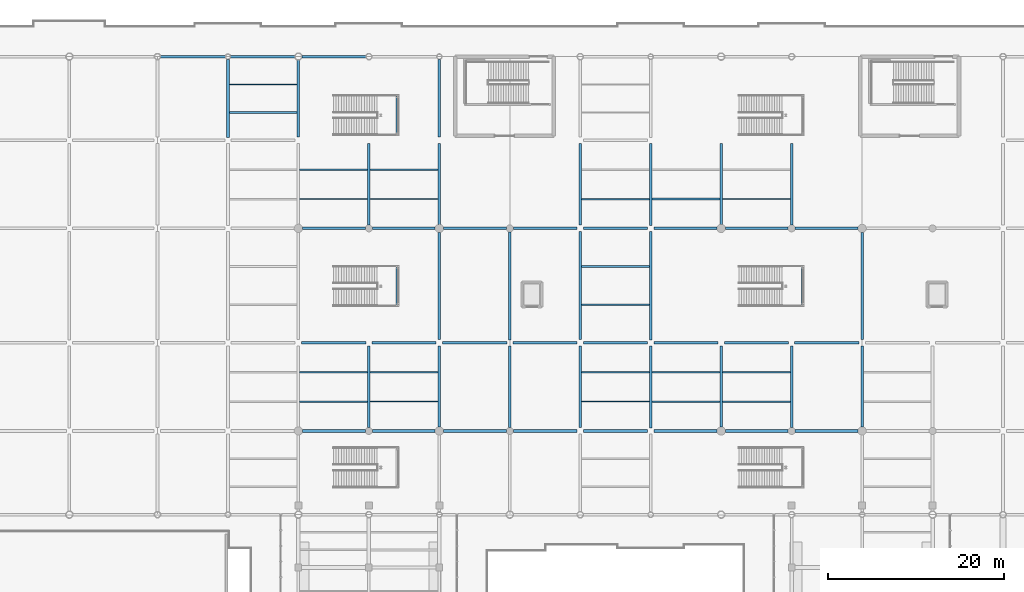
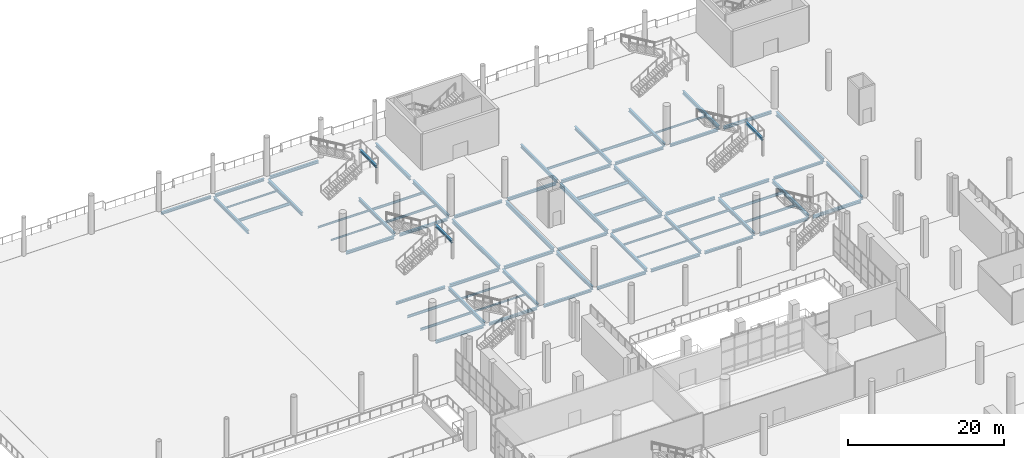
# One storey, part 107 of 163: 73 beams.
"""IFC4 building model written with IfcOpenShell, lengths in metres."""

from ifc_helpers import new_model, si_unit, direction, frame, origin, origin_2d, place, context, subcontext, project, spatial, i_section, extrude, material, material_profile, profile_set, type_object, element, save


model = new_model("IFC4")

# Units and contexts
model_context = context("Model", 3, precision=1e-05, world=origin(), true_north=direction((0.0, 1.0)))
body_context = subcontext(model_context, "Body", "Model", "MODEL_VIEW")
ifc_project = project(units=[si_unit("LENGTHUNIT", "METRE"), si_unit("AREAUNIT", "SQUARE_METRE"), si_unit("VOLUMEUNIT", "CUBIC_METRE"), si_unit("PLANEANGLEUNIT", "RADIAN"), si_unit("MASSUNIT", "GRAM", prefix="KILO")], contexts=[model_context])

# Site, building, storey
site_placement = place(None, origin())
site = spatial("IfcSite", under=ifc_project, at=site_placement, CompositionType="ELEMENT")
building_placement = place(site_placement, origin())
building = spatial("IfcBuilding", under=site, at=building_placement, Name="Khorjan Park Terminus", CompositionType="ELEMENT")
storey_placement = place(building_placement, origin())
storey = spatial("IfcBuildingStorey", under=building, at=storey_placement, Name="L00", CompositionType="ELEMENT", Elevation=0.0)

# Beams
ifc_material = material(Name="Steel S355", Category="steel")
ifc_material_profile_1 = material_profile(ifc_material, i_section(OverallWidth=0.3, OverallDepth=0.39, WebThickness=0.011, FlangeThickness=0.019, FilletRadius=0.027, at=origin_2d()), Name="HEA 400")
ifc_profile_set_1 = profile_set([ifc_material_profile_1], Name="Steel S355")
beam_type_1 = type_object("IfcBeamType", Name="BM-HEA400", PredefinedType="BEAM", material=ifc_profile_set_1)
beam_1_placement = place(storey_placement, frame((64.395, 111.5, -0.595), z_axis=(1.0, 0.0, 0.0), x_axis=(0.0, 1.0, 0.0)))
element("IfcBeam", 1, at=beam_1_placement, inside=storey, type_object=beam_type_1, Name="Primary floor girder SB-A40 (L00)", PredefinedType="BEAM", context=body_context, shape_type="SweptSolid", body=[
    extrude(i_section(OverallWidth=0.3, OverallDepth=0.39, WebThickness=0.011, FlangeThickness=0.019, FilletRadius=0.027, at=origin_2d()), origin(), (0.0, 0.0, 1.0), 7.135),
])
beam_2_placement = place(storey_placement, frame((96.345, 111.5, -0.595), z_axis=(1.0, 0.0, 0.0), x_axis=(0.0, 1.0, 0.0)))
element("IfcBeam", 2, at=beam_2_placement, inside=storey, type_object=beam_type_1, Name="Primary floor girder SB-A40 (L00)", PredefinedType="BEAM", context=body_context, shape_type="SweptSolid", body=[
    extrude(i_section(OverallWidth=0.3, OverallDepth=0.39, WebThickness=0.011, FlangeThickness=0.019, FilletRadius=0.027, at=origin_2d()), origin(), (0.0, 0.0, 1.0), 7.185),
])
for number, where, z_axis, x_axis, name in (
    (3, (80.345, 121.5, -0.595), (1.0, 0.0, 0.0), (0.0, 1.0, 0.0), "Primary floor girder SB-A40 (L00)"),
    (4, (112.345, 121.5, -0.595), (1.0, 0.0, 0.0), (0.0, 1.0, 0.0), "Primary floor girder SB-A40 (L00)"),
):
    element("IfcBeam", number, at=place(storey_placement, frame(where, z_axis=z_axis, x_axis=x_axis)), inside=storey, type_object=beam_type_1, Name=name, PredefinedType="BEAM", context=body_context, shape_type="SweptSolid", body=[
        extrude(i_section(OverallWidth=0.3, OverallDepth=0.39, WebThickness=0.011, FlangeThickness=0.019, FilletRadius=0.027, at=origin_2d()), origin(), (0.0, 0.0, 1.0), 7.285),
    ])
beam_3_placement = place(storey_placement, frame((64.395, 134.5, -0.595), z_axis=(1.0, 0.0, 0.0), x_axis=(0.0, 1.0, 0.0)))
element("IfcBeam", 5, at=beam_3_placement, inside=storey, type_object=beam_type_1, Name="Primary floor girder SB-A40 (L00)", PredefinedType="BEAM", context=body_context, shape_type="SweptSolid", body=[
    extrude(i_section(OverallWidth=0.3, OverallDepth=0.39, WebThickness=0.011, FlangeThickness=0.019, FilletRadius=0.027, at=origin_2d()), origin(), (0.0, 0.0, 1.0), 7.135),
])
beam_4_placement = place(storey_placement, frame((96.345, 134.5, -0.595), z_axis=(1.0, 0.0, 0.0), x_axis=(0.0, 1.0, 0.0)))
element("IfcBeam", 6, at=beam_4_placement, inside=storey, type_object=beam_type_1, Name="Primary floor girder SB-A40 (L00)", PredefinedType="BEAM", context=body_context, shape_type="SweptSolid", body=[
    extrude(i_section(OverallWidth=0.3, OverallDepth=0.39, WebThickness=0.011, FlangeThickness=0.019, FilletRadius=0.027, at=origin_2d()), origin(), (0.0, 0.0, 1.0), 7.185),
])
beam_5_placement = place(storey_placement, frame((40.3505, 154.0, -0.595), z_axis=(1.0, 0.0, 0.0), x_axis=(0.0, 1.0, 0.0)))
element("IfcBeam", 7, at=beam_5_placement, inside=storey, type_object=beam_type_1, Name="Primary floor girder SB-A40 (L00)", PredefinedType="BEAM", context=body_context, shape_type="SweptSolid", body=[
    extrude(i_section(OverallWidth=0.3, OverallDepth=0.39, WebThickness=0.011, FlangeThickness=0.019, FilletRadius=0.027, at=origin_2d()), origin(), (0.0, 0.0, 1.0), 7.3495),
])
for number, where, z_axis, x_axis, name in (
    (8, (67.25, 125.82, 2.605), (0.0, 1.0, 0.0), (-1.0, 0.0, 0.0), "Stair PS-03 half-landing support beam SB-A40"),
    (9, (113.25, 125.82, 2.605), (0.0, 1.0, 0.0), (-1.0, 0.0, 0.0), "Stair PS-04 half-landing support beam SB-A40"),
    (10, (67.25, 145.22, 2.605), (0.0, 1.0, 0.0), (-1.0, 0.0, 0.0), "Stair PS-05 half-landing support beam SB-A40"),
):
    element("IfcBeam", number, at=place(storey_placement, frame(where, z_axis=z_axis, x_axis=x_axis)), inside=storey, type_object=beam_type_1, Name=name, PredefinedType="BEAM", context=body_context, shape_type="SweptSolid", body=[
        extrude(i_section(OverallWidth=0.3, OverallDepth=0.39, WebThickness=0.011, FlangeThickness=0.019, FilletRadius=0.027, at=origin_2d()), origin(), (0.0, 0.0, 1.0), 4.26),
    ])
ifc_material_profile_2 = material_profile(ifc_material, i_section(OverallWidth=0.3, OverallDepth=0.44, WebThickness=0.0115, FlangeThickness=0.021, FilletRadius=0.027, at=origin_2d()), Name="HEA 450")
ifc_profile_set_2 = profile_set([ifc_material_profile_2], Name="Steel S355")
beam_type_2 = type_object("IfcBeamType", Name="BM-HEA450", PredefinedType="BEAM", material=ifc_profile_set_2)
beam_6_placement = place(storey_placement, frame((80.395, 111.5, -0.62), z_axis=(1.0, 0.0, 0.0), x_axis=(0.0, 1.0, 0.0)))
element("IfcBeam", 11, at=beam_6_placement, inside=storey, type_object=beam_type_2, Name="Primary floor girder SB-A45 (L00)", PredefinedType="BEAM", context=body_context, shape_type="SweptSolid", body=[
    extrude(i_section(OverallWidth=0.3, OverallDepth=0.44, WebThickness=0.0115, FlangeThickness=0.021, FilletRadius=0.027, at=origin_2d()), origin(), (0.0, 0.0, 1.0), 7.235),
])
beam_7_placement = place(storey_placement, frame((112.395, 111.5, -0.62), z_axis=(1.0, 0.0, 0.0), x_axis=(0.0, 1.0, 0.0)))
element("IfcBeam", 12, at=beam_7_placement, inside=storey, type_object=beam_type_2, Name="Primary floor girder SB-A45 (L00)", PredefinedType="BEAM", context=body_context, shape_type="SweptSolid", body=[
    extrude(i_section(OverallWidth=0.3, OverallDepth=0.44, WebThickness=0.0115, FlangeThickness=0.021, FilletRadius=0.027, at=origin_2d()), origin(), (0.0, 0.0, 1.0), 7.135),
])
for number, where, z_axis, x_axis, name in (
    (13, (64.345, 121.5, -0.62), (1.0, 0.0, 0.0), (0.0, 1.0, 0.0), "Primary floor girder SB-A45 (L00)"),
    (14, (96.345, 121.5, -0.62), (1.0, 0.0, 0.0), (0.0, 1.0, 0.0), "Primary floor girder SB-A45 (L00)"),
):
    element("IfcBeam", number, at=place(storey_placement, frame(where, z_axis=z_axis, x_axis=x_axis)), inside=storey, type_object=beam_type_2, Name=name, PredefinedType="BEAM", context=body_context, shape_type="SweptSolid", body=[
        extrude(i_section(OverallWidth=0.3, OverallDepth=0.44, WebThickness=0.0115, FlangeThickness=0.021, FilletRadius=0.027, at=origin_2d()), origin(), (0.0, 0.0, 1.0), 7.285),
    ])
beam_8_placement = place(storey_placement, frame((80.395, 134.5, -0.62), z_axis=(1.0, 0.0, 0.0), x_axis=(0.0, 1.0, 0.0)))
element("IfcBeam", 15, at=beam_8_placement, inside=storey, type_object=beam_type_2, Name="Primary floor girder SB-A45 (L00)", PredefinedType="BEAM", context=body_context, shape_type="SweptSolid", body=[
    extrude(i_section(OverallWidth=0.3, OverallDepth=0.44, WebThickness=0.0115, FlangeThickness=0.021, FilletRadius=0.027, at=origin_2d()), origin(), (0.0, 0.0, 1.0), 7.235),
])
beam_9_placement = place(storey_placement, frame((112.395, 134.5, -0.62), z_axis=(1.0, 0.0, 0.0), x_axis=(0.0, 1.0, 0.0)))
element("IfcBeam", 16, at=beam_9_placement, inside=storey, type_object=beam_type_2, Name="Primary floor girder SB-A45 (L00)", PredefinedType="BEAM", context=body_context, shape_type="SweptSolid", body=[
    extrude(i_section(OverallWidth=0.3, OverallDepth=0.44, WebThickness=0.0115, FlangeThickness=0.021, FilletRadius=0.027, at=origin_2d()), origin(), (0.0, 0.0, 1.0), 7.135),
])
beam_10_placement = place(storey_placement, frame((56.4015, 154.0, -0.62), z_axis=(1.0, 0.0, 0.0), x_axis=(0.0, 1.0, 0.0)))
element("IfcBeam", 17, at=beam_10_placement, inside=storey, type_object=beam_type_2, Name="Primary floor girder SB-A45 (L00)", PredefinedType="BEAM", context=body_context, shape_type="SweptSolid", body=[
    extrude(i_section(OverallWidth=0.3, OverallDepth=0.44, WebThickness=0.0115, FlangeThickness=0.021, FilletRadius=0.027, at=origin_2d()), origin(), (0.0, 0.0, 1.0), 7.248),
])
ifc_material_profile_3 = material_profile(ifc_material, i_section(OverallWidth=0.3, OverallDepth=0.49, WebThickness=0.012, FlangeThickness=0.023, FilletRadius=0.027, at=origin_2d()), Name="HEA 500")
ifc_profile_set_3 = profile_set([ifc_material_profile_3], Name="Steel S355")
beam_type_3 = type_object("IfcBeamType", Name="BM-HEA500", PredefinedType="BEAM", material=ifc_profile_set_3)
beam_11_placement = place(storey_placement, frame((64.0, 134.895, -0.645), z_axis=(0.0, 1.0, 0.0), x_axis=(-1.0, 0.0, 0.0)))
element("IfcBeam", 18, at=beam_11_placement, inside=storey, type_object=beam_type_3, Name="Primary floor girder SB-A50 (L00)", PredefinedType="BEAM", context=body_context, shape_type="SweptSolid", body=[
    extrude(i_section(OverallWidth=0.3, OverallDepth=0.49, WebThickness=0.012, FlangeThickness=0.023, FilletRadius=0.027, at=origin_2d()), origin(), (0.0, 0.0, 1.0), 9.26),
])
beam_12_placement = place(storey_placement, frame((72.0, 111.97, -0.645), z_axis=(0.0, 1.0, 0.0), x_axis=(-1.0, 0.0, 0.0)))
element("IfcBeam", 19, at=beam_12_placement, inside=storey, type_object=beam_type_3, Name="Primary floor girder SB-A50 (L00)", PredefinedType="BEAM", context=body_context, shape_type="SweptSolid", body=[
    extrude(i_section(OverallWidth=0.3, OverallDepth=0.49, WebThickness=0.012, FlangeThickness=0.023, FilletRadius=0.027, at=origin_2d()), origin(), (0.0, 0.0, 1.0), 9.16),
])
beam_13_placement = place(storey_placement, frame((96.0, 111.845, -0.645), z_axis=(0.0, 1.0, 0.0), x_axis=(-1.0, 0.0, 0.0)))
element("IfcBeam", 20, at=beam_13_placement, inside=storey, type_object=beam_type_3, Name="Primary floor girder SB-A50 (L00)", PredefinedType="BEAM", context=body_context, shape_type="SweptSolid", body=[
    extrude(i_section(OverallWidth=0.3, OverallDepth=0.49, WebThickness=0.012, FlangeThickness=0.023, FilletRadius=0.027, at=origin_2d()), origin(), (0.0, 0.0, 1.0), 9.31),
])
beam_14_placement = place(storey_placement, frame((104.0, 134.97, -0.645), z_axis=(0.0, 1.0, 0.0), x_axis=(-1.0, 0.0, 0.0)))
element("IfcBeam", 21, at=beam_14_placement, inside=storey, type_object=beam_type_3, Name="Primary floor girder SB-A50 (L00)", PredefinedType="BEAM", context=body_context, shape_type="SweptSolid", body=[
    extrude(i_section(OverallWidth=0.3, OverallDepth=0.49, WebThickness=0.012, FlangeThickness=0.023, FilletRadius=0.027, at=origin_2d()), origin(), (0.0, 0.0, 1.0), 9.16),
])
ifc_material_profile_4 = material_profile(ifc_material, i_section(OverallWidth=0.3, OverallDepth=0.54, WebThickness=0.0125, FlangeThickness=0.024, FilletRadius=0.027, at=origin_2d()), Name="HEA 550")
ifc_profile_set_4 = profile_set([ifc_material_profile_4], Name="Steel S355")
beam_type_4 = type_object("IfcBeamType", Name="BM-HEA550", PredefinedType="BEAM", material=ifc_profile_set_4)
beam_15_placement = place(storey_placement, frame((72.0, 134.97, -0.67), z_axis=(0.0, 1.0, 0.0), x_axis=(-1.0, 0.0, 0.0)))
element("IfcBeam", 22, at=beam_15_placement, inside=storey, type_object=beam_type_4, Name="Primary floor girder SB-A55 (L00)", PredefinedType="BEAM", context=body_context, shape_type="SweptSolid", body=[
    extrude(i_section(OverallWidth=0.3, OverallDepth=0.54, WebThickness=0.0125, FlangeThickness=0.024, FilletRadius=0.027, at=origin_2d()), origin(), (0.0, 0.0, 1.0), 9.16),
])
beam_16_placement = place(storey_placement, frame((96.0, 134.845, -0.67), z_axis=(0.0, 1.0, 0.0), x_axis=(-1.0, 0.0, 0.0)))
element("IfcBeam", 23, at=beam_16_placement, inside=storey, type_object=beam_type_4, Name="Primary floor girder SB-A55 (L00)", PredefinedType="BEAM", context=body_context, shape_type="SweptSolid", body=[
    extrude(i_section(OverallWidth=0.3, OverallDepth=0.54, WebThickness=0.0125, FlangeThickness=0.024, FilletRadius=0.027, at=origin_2d()), origin(), (0.0, 0.0, 1.0), 9.31),
])
beam_17_placement = place(storey_placement, frame((112.0, 111.895, -0.67), z_axis=(0.0, 1.0, 0.0), x_axis=(-1.0, 0.0, 0.0)))
element("IfcBeam", 24, at=beam_17_placement, inside=storey, type_object=beam_type_4, Name="Primary floor girder SB-A55 (L00)", PredefinedType="BEAM", context=body_context, shape_type="SweptSolid", body=[
    extrude(i_section(OverallWidth=0.3, OverallDepth=0.54, WebThickness=0.0125, FlangeThickness=0.024, FilletRadius=0.027, at=origin_2d()), origin(), (0.0, 0.0, 1.0), 9.26),
])
ifc_material_profile_5 = material_profile(ifc_material, i_section(OverallWidth=0.3, OverallDepth=0.64, WebThickness=0.0135, FlangeThickness=0.026, FilletRadius=0.027, at=origin_2d()), Name="HEA 650")
ifc_profile_set_5 = profile_set([ifc_material_profile_5], Name="Steel S355")
beam_type_5 = type_object("IfcBeamType", Name="BM-HEA650", PredefinedType="BEAM", material=ifc_profile_set_5)
beam_18_placement = place(storey_placement, frame((88.0, 121.87, -0.72), z_axis=(0.0, 1.0, 0.0), x_axis=(-1.0, 0.0, 0.0)))
element("IfcBeam", 25, at=beam_18_placement, inside=storey, type_object=beam_type_5, Name="Primary floor girder SB-A65 (L00)", PredefinedType="BEAM", context=body_context, shape_type="SweptSolid", body=[
    extrude(i_section(OverallWidth=0.3, OverallDepth=0.64, WebThickness=0.0135, FlangeThickness=0.026, FilletRadius=0.027, at=origin_2d()), origin(), (0.0, 0.0, 1.0), 12.26),
])
beam_19_placement = place(storey_placement, frame((96.0, 121.845, -0.72), z_axis=(0.0, 1.0, 0.0), x_axis=(-1.0, 0.0, 0.0)))
element("IfcBeam", 26, at=beam_19_placement, inside=storey, type_object=beam_type_5, Name="Primary floor girder SB-A65 (L00)", PredefinedType="BEAM", context=body_context, shape_type="SweptSolid", body=[
    extrude(i_section(OverallWidth=0.3, OverallDepth=0.64, WebThickness=0.0135, FlangeThickness=0.026, FilletRadius=0.027, at=origin_2d()), origin(), (0.0, 0.0, 1.0), 12.31),
])
ifc_material_profile_6 = material_profile(ifc_material, i_section(OverallWidth=0.3, OverallDepth=0.4, WebThickness=0.0135, FlangeThickness=0.024, FilletRadius=0.027, at=origin_2d()), Name="HEB 400")
ifc_profile_set_6 = profile_set([ifc_material_profile_6], Name="Steel S355")
beam_type_6 = type_object("IfcBeamType", Name="BM-HEB400", PredefinedType="BEAM", material=ifc_profile_set_6)
for number, where, z_axis, x_axis, name in (
    (27, (72.47, 111.5, -0.6), (1.0, 0.0, 0.0), (0.0, 1.0, 0.0), "Primary floor girder SB-B40 (L00)"),
    (28, (104.47, 111.5, -0.6), (1.0, 0.0, 0.0), (0.0, 1.0, 0.0), "Primary floor girder SB-B40 (L00)"),
):
    element("IfcBeam", number, at=place(storey_placement, frame(where, z_axis=z_axis, x_axis=x_axis)), inside=storey, type_object=beam_type_6, Name=name, PredefinedType="BEAM", context=body_context, shape_type="SweptSolid", body=[
        extrude(i_section(OverallWidth=0.3, OverallDepth=0.4, WebThickness=0.0135, FlangeThickness=0.024, FilletRadius=0.027, at=origin_2d()), origin(), (0.0, 0.0, 1.0), 7.135),
    ])
for number, where, z_axis, x_axis, name in (
    (29, (56.37, 121.5, -0.6), (1.0, 0.0, 0.0), (0.0, 1.0, 0.0), "Primary floor girder SB-B40 (L00)"),
    (30, (88.37, 121.5, -0.6), (1.0, 0.0, 0.0), (0.0, 1.0, 0.0), "Primary floor girder SB-B40 (L00)"),
):
    element("IfcBeam", number, at=place(storey_placement, frame(where, z_axis=z_axis, x_axis=x_axis)), inside=storey, type_object=beam_type_6, Name=name, PredefinedType="BEAM", context=body_context, shape_type="SweptSolid", body=[
        extrude(i_section(OverallWidth=0.3, OverallDepth=0.4, WebThickness=0.0135, FlangeThickness=0.024, FilletRadius=0.027, at=origin_2d()), origin(), (0.0, 0.0, 1.0), 7.285),
    ])
for number, where, z_axis, x_axis, name in (
    (31, (72.47, 134.5, -0.6), (1.0, 0.0, 0.0), (0.0, 1.0, 0.0), "Primary floor girder SB-B40 (L00)"),
    (32, (104.47, 134.5, -0.6), (1.0, 0.0, 0.0), (0.0, 1.0, 0.0), "Primary floor girder SB-B40 (L00)"),
):
    element("IfcBeam", number, at=place(storey_placement, frame(where, z_axis=z_axis, x_axis=x_axis)), inside=storey, type_object=beam_type_6, Name=name, PredefinedType="BEAM", context=body_context, shape_type="SweptSolid", body=[
        extrude(i_section(OverallWidth=0.3, OverallDepth=0.4, WebThickness=0.0135, FlangeThickness=0.024, FilletRadius=0.027, at=origin_2d()), origin(), (0.0, 0.0, 1.0), 7.135),
    ])
beam_20_placement = place(storey_placement, frame((48.3, 154.0, -0.6), z_axis=(1.0, 0.0, 0.0), x_axis=(0.0, 1.0, 0.0)))
element("IfcBeam", 33, at=beam_20_placement, inside=storey, type_object=beam_type_6, Name="Primary floor girder SB-B40 (L00)", PredefinedType="BEAM", context=body_context, shape_type="SweptSolid", body=[
    extrude(i_section(OverallWidth=0.3, OverallDepth=0.4, WebThickness=0.0135, FlangeThickness=0.024, FilletRadius=0.027, at=origin_2d()), origin(), (0.0, 0.0, 1.0), 7.2985),
])
ifc_material_profile_7 = material_profile(ifc_material, i_section(OverallWidth=0.3, OverallDepth=0.45, WebThickness=0.014, FlangeThickness=0.026, FilletRadius=0.027, at=origin_2d()), Name="HEB 450")
ifc_profile_set_7 = profile_set([ifc_material_profile_7], Name="Steel S355")
beam_type_7 = type_object("IfcBeamType", Name="BM-HEB450", PredefinedType="BEAM", material=ifc_profile_set_7)
beam_21_placement = place(storey_placement, frame((56.47, 111.5, -0.625), z_axis=(1.0, 0.0, 0.0), x_axis=(0.0, 1.0, 0.0)))
element("IfcBeam", 34, at=beam_21_placement, inside=storey, type_object=beam_type_7, Name="Primary floor girder SB-B45 (L00)", PredefinedType="BEAM", context=body_context, shape_type="SweptSolid", body=[
    extrude(i_section(OverallWidth=0.3, OverallDepth=0.45, WebThickness=0.014, FlangeThickness=0.026, FilletRadius=0.027, at=origin_2d()), origin(), (0.0, 0.0, 1.0), 7.135),
])
for number, where, z_axis, x_axis, name in (
    (35, (88.37, 111.5, -0.625), (1.0, 0.0, 0.0), (0.0, 1.0, 0.0), "Primary floor girder SB-B45 (L00)"),
    (36, (72.37, 121.5, -0.625), (1.0, 0.0, 0.0), (0.0, 1.0, 0.0), "Primary floor girder SB-B45 (L00)"),
    (37, (104.37, 121.5, -0.625), (1.0, 0.0, 0.0), (0.0, 1.0, 0.0), "Primary floor girder SB-B45 (L00)"),
):
    element("IfcBeam", number, at=place(storey_placement, frame(where, z_axis=z_axis, x_axis=x_axis)), inside=storey, type_object=beam_type_7, Name=name, PredefinedType="BEAM", context=body_context, shape_type="SweptSolid", body=[
        extrude(i_section(OverallWidth=0.3, OverallDepth=0.45, WebThickness=0.014, FlangeThickness=0.026, FilletRadius=0.027, at=origin_2d()), origin(), (0.0, 0.0, 1.0), 7.285),
    ])
beam_22_placement = place(storey_placement, frame((56.47, 134.5, -0.625), z_axis=(1.0, 0.0, 0.0), x_axis=(0.0, 1.0, 0.0)))
element("IfcBeam", 38, at=beam_22_placement, inside=storey, type_object=beam_type_7, Name="Primary floor girder SB-B45 (L00)", PredefinedType="BEAM", context=body_context, shape_type="SweptSolid", body=[
    extrude(i_section(OverallWidth=0.3, OverallDepth=0.45, WebThickness=0.014, FlangeThickness=0.026, FilletRadius=0.027, at=origin_2d()), origin(), (0.0, 0.0, 1.0), 7.135),
])
beam_23_placement = place(storey_placement, frame((88.37, 134.5, -0.625), z_axis=(1.0, 0.0, 0.0), x_axis=(0.0, 1.0, 0.0)))
element("IfcBeam", 39, at=beam_23_placement, inside=storey, type_object=beam_type_7, Name="Primary floor girder SB-B45 (L00)", PredefinedType="BEAM", context=body_context, shape_type="SweptSolid", body=[
    extrude(i_section(OverallWidth=0.3, OverallDepth=0.45, WebThickness=0.014, FlangeThickness=0.026, FilletRadius=0.027, at=origin_2d()), origin(), (0.0, 0.0, 1.0), 7.285),
])
ifc_material_profile_8 = material_profile(ifc_material, i_section(OverallWidth=0.3, OverallDepth=0.5, WebThickness=0.0145, FlangeThickness=0.028, FilletRadius=0.027, at=origin_2d()), Name="HEB 500")
ifc_profile_set_8 = profile_set([ifc_material_profile_8], Name="Steel S355")
beam_type_8 = type_object("IfcBeamType", Name="BM-HEB500", PredefinedType="BEAM", material=ifc_profile_set_8)
beam_24_placement = place(storey_placement, frame((88.0, 111.87, -0.65), z_axis=(0.0, 1.0, 0.0), x_axis=(-1.0, 0.0, 0.0)))
element("IfcBeam", 40, at=beam_24_placement, inside=storey, type_object=beam_type_8, Name="Primary floor girder SB-B50 (L00)", PredefinedType="BEAM", context=body_context, shape_type="SweptSolid", body=[
    extrude(i_section(OverallWidth=0.3, OverallDepth=0.5, WebThickness=0.0145, FlangeThickness=0.028, FilletRadius=0.027, at=origin_2d()), origin(), (0.0, 0.0, 1.0), 9.26),
])
beam_25_placement = place(storey_placement, frame((120.0, 111.97, -0.65), z_axis=(0.0, 1.0, 0.0), x_axis=(-1.0, 0.0, 0.0)))
element("IfcBeam", 41, at=beam_25_placement, inside=storey, type_object=beam_type_8, Name="Primary floor girder SB-B50 (L00)", PredefinedType="BEAM", context=body_context, shape_type="SweptSolid", body=[
    extrude(i_section(OverallWidth=0.3, OverallDepth=0.5, WebThickness=0.0145, FlangeThickness=0.028, FilletRadius=0.027, at=origin_2d()), origin(), (0.0, 0.0, 1.0), 9.16),
])
ifc_material_profile_9 = material_profile(ifc_material, i_section(OverallWidth=0.3, OverallDepth=0.55, WebThickness=0.015, FlangeThickness=0.029, FilletRadius=0.027, at=origin_2d()), Name="HEB 550")
ifc_profile_set_9 = profile_set([ifc_material_profile_9], Name="Steel S355")
beam_type_9 = type_object("IfcBeamType", Name="BM-HEB550", PredefinedType="BEAM", material=ifc_profile_set_9)
beam_26_placement = place(storey_placement, frame((48.0, 144.845, -0.675), z_axis=(0.0, 1.0, 0.0), x_axis=(-1.0, 0.0, 0.0)))
element("IfcBeam", 42, at=beam_26_placement, inside=storey, type_object=beam_type_9, Name="Primary floor girder SB-B55 (L00)", PredefinedType="BEAM", context=body_context, shape_type="SweptSolid", body=[
    extrude(i_section(OverallWidth=0.3, OverallDepth=0.55, WebThickness=0.015, FlangeThickness=0.029, FilletRadius=0.027, at=origin_2d()), origin(), (0.0, 0.0, 1.0), 8.855),
])
beam_27_placement = place(storey_placement, frame((56.0, 144.87, -0.675), z_axis=(0.0, 1.0, 0.0), x_axis=(-1.0, 0.0, 0.0)))
element("IfcBeam", 43, at=beam_27_placement, inside=storey, type_object=beam_type_9, Name="Primary floor girder SB-B55 (L00)", PredefinedType="BEAM", context=body_context, shape_type="SweptSolid", body=[
    extrude(i_section(OverallWidth=0.3, OverallDepth=0.55, WebThickness=0.015, FlangeThickness=0.029, FilletRadius=0.027, at=origin_2d()), origin(), (0.0, 0.0, 1.0), 8.7285),
])
beam_28_placement = place(storey_placement, frame((64.0, 111.895, -0.675), z_axis=(0.0, 1.0, 0.0), x_axis=(-1.0, 0.0, 0.0)))
element("IfcBeam", 44, at=beam_28_placement, inside=storey, type_object=beam_type_9, Name="Primary floor girder SB-B55 (L00)", PredefinedType="BEAM", context=body_context, shape_type="SweptSolid", body=[
    extrude(i_section(OverallWidth=0.3, OverallDepth=0.55, WebThickness=0.015, FlangeThickness=0.029, FilletRadius=0.027, at=origin_2d()), origin(), (0.0, 0.0, 1.0), 9.26),
])
beam_29_placement = place(storey_placement, frame((72.0, 144.87, -0.675), z_axis=(0.0, 1.0, 0.0), x_axis=(-1.0, 0.0, 0.0)))
element("IfcBeam", 45, at=beam_29_placement, inside=storey, type_object=beam_type_9, Name="Primary floor girder SB-B55 (L00)", PredefinedType="BEAM", context=body_context, shape_type="SweptSolid", body=[
    extrude(i_section(OverallWidth=0.3, OverallDepth=0.55, WebThickness=0.015, FlangeThickness=0.029, FilletRadius=0.027, at=origin_2d()), origin(), (0.0, 0.0, 1.0), 8.83),
])
for number, where, z_axis, x_axis, name in (
    (46, (80.0, 111.895, -0.675), (0.0, 1.0, 0.0), (-1.0, 0.0, 0.0), "Primary floor girder SB-B55 (L00)"),
    (47, (88.0, 134.87, -0.675), (0.0, 1.0, 0.0), (-1.0, 0.0, 0.0), "Primary floor girder SB-B55 (L00)"),
):
    element("IfcBeam", number, at=place(storey_placement, frame(where, z_axis=z_axis, x_axis=x_axis)), inside=storey, type_object=beam_type_9, Name=name, PredefinedType="BEAM", context=body_context, shape_type="SweptSolid", body=[
        extrude(i_section(OverallWidth=0.3, OverallDepth=0.55, WebThickness=0.015, FlangeThickness=0.029, FilletRadius=0.027, at=origin_2d()), origin(), (0.0, 0.0, 1.0), 9.26),
    ])
beam_30_placement = place(storey_placement, frame((104.0, 111.97, -0.675), z_axis=(0.0, 1.0, 0.0), x_axis=(-1.0, 0.0, 0.0)))
element("IfcBeam", 48, at=beam_30_placement, inside=storey, type_object=beam_type_9, Name="Primary floor girder SB-B55 (L00)", PredefinedType="BEAM", context=body_context, shape_type="SweptSolid", body=[
    extrude(i_section(OverallWidth=0.3, OverallDepth=0.55, WebThickness=0.015, FlangeThickness=0.029, FilletRadius=0.027, at=origin_2d()), origin(), (0.0, 0.0, 1.0), 9.16),
])
beam_31_placement = place(storey_placement, frame((112.0, 134.895, -0.675), z_axis=(0.0, 1.0, 0.0), x_axis=(-1.0, 0.0, 0.0)))
element("IfcBeam", 49, at=beam_31_placement, inside=storey, type_object=beam_type_9, Name="Primary floor girder SB-B55 (L00)", PredefinedType="BEAM", context=body_context, shape_type="SweptSolid", body=[
    extrude(i_section(OverallWidth=0.3, OverallDepth=0.55, WebThickness=0.015, FlangeThickness=0.029, FilletRadius=0.027, at=origin_2d()), origin(), (0.0, 0.0, 1.0), 9.26),
])
ifc_material_profile_10 = material_profile(ifc_material, i_section(OverallWidth=0.3, OverallDepth=0.6, WebThickness=0.0155, FlangeThickness=0.03, FilletRadius=0.027, at=origin_2d()), Name="HEB 600")
ifc_profile_set_10 = profile_set([ifc_material_profile_10], Name="Steel S355")
beam_type_10 = type_object("IfcBeamType", Name="BM-HEB600", PredefinedType="BEAM", material=ifc_profile_set_10)
beam_32_placement = place(storey_placement, frame((72.0, 121.87, -0.7), z_axis=(0.0, 1.0, 0.0), x_axis=(-1.0, 0.0, 0.0)))
element("IfcBeam", 50, at=beam_32_placement, inside=storey, type_object=beam_type_10, Name="Primary floor girder SB-B60 (L00)", PredefinedType="BEAM", context=body_context, shape_type="SweptSolid", body=[
    extrude(i_section(OverallWidth=0.3, OverallDepth=0.6, WebThickness=0.0155, FlangeThickness=0.03, FilletRadius=0.027, at=origin_2d()), origin(), (0.0, 0.0, 1.0), 12.16),
])
beam_33_placement = place(storey_placement, frame((80.0, 121.845, -0.7), z_axis=(0.0, 1.0, 0.0), x_axis=(-1.0, 0.0, 0.0)))
element("IfcBeam", 51, at=beam_33_placement, inside=storey, type_object=beam_type_10, Name="Primary floor girder SB-B60 (L00)", PredefinedType="BEAM", context=body_context, shape_type="SweptSolid", body=[
    extrude(i_section(OverallWidth=0.3, OverallDepth=0.6, WebThickness=0.0155, FlangeThickness=0.03, FilletRadius=0.027, at=origin_2d()), origin(), (0.0, 0.0, 1.0), 12.26),
])
beam_34_placement = place(storey_placement, frame((120.0, 121.87, -0.7), z_axis=(0.0, 1.0, 0.0), x_axis=(-1.0, 0.0, 0.0)))
element("IfcBeam", 52, at=beam_34_placement, inside=storey, type_object=beam_type_10, Name="Primary floor girder SB-B60 (L00)", PredefinedType="BEAM", context=body_context, shape_type="SweptSolid", body=[
    extrude(i_section(OverallWidth=0.3, OverallDepth=0.6, WebThickness=0.0155, FlangeThickness=0.03, FilletRadius=0.027, at=origin_2d()), origin(), (0.0, 0.0, 1.0), 12.16),
])
ifc_material_profile_11 = material_profile(ifc_material, i_section(OverallWidth=0.135, OverallDepth=0.27, WebThickness=0.0066, FlangeThickness=0.0102, FilletRadius=0.015, at=origin_2d()), Name="IPE 270")
ifc_profile_set_11 = profile_set([ifc_material_profile_11], Name="Steel S355")
beam_type_11 = type_object("IfcBeamType", Name="JS-IPE270", PredefinedType="JOIST", material=ifc_profile_set_11)
for number, where, z_axis, x_axis, name in (
    (53, (48.15, 150.8333, -0.535), (1.0, 0.0, 0.0), (0.0, 1.0, 0.0), "Secondary composite floor joist SJ-27 (L00)"),
    (54, (56.15, 137.8333, -0.535), (1.0, 0.0, 0.0), (0.0, 1.0, 0.0), "Secondary composite floor joist SJ-27 (L00)"),
    (55, (64.15, 114.8333, -0.535), (1.0, 0.0, 0.0), (0.0, 1.0, 0.0), "Secondary composite floor joist SJ-27 (L00)"),
    (56, (88.15, 114.8333, -0.535), (1.0, 0.0, 0.0), (0.0, 1.0, 0.0), "Secondary composite floor joist SJ-27 (L00)"),
):
    element("IfcBeam", number, at=place(storey_placement, frame(where, z_axis=z_axis, x_axis=x_axis)), inside=storey, type_object=beam_type_11, Name=name, PredefinedType="JOIST", context=body_context, shape_type="SweptSolid", body=[
        extrude(i_section(OverallWidth=0.135, OverallDepth=0.27, WebThickness=0.0066, FlangeThickness=0.0102, FilletRadius=0.015, at=origin_2d()), origin(), (0.0, 0.0, 1.0), 7.7),
    ])
ifc_material_profile_12 = material_profile(ifc_material, i_section(OverallWidth=0.15, OverallDepth=0.3, WebThickness=0.0071, FlangeThickness=0.0107, FilletRadius=0.015, at=origin_2d()), Name="IPE 300")
ifc_profile_set_12 = profile_set([ifc_material_profile_12], Name="Steel S355")
beam_type_12 = type_object("IfcBeamType", Name="JS-IPE300", PredefinedType="JOIST", material=ifc_profile_set_12)
for number, where, z_axis, x_axis, name in (
    (57, (56.15, 141.1667, -0.55), (1.0, 0.0, 0.0), (0.0, 1.0, 0.0), "Secondary composite floor joist SJ-30 (L00)"),
    (58, (64.15, 118.1667, -0.55), (1.0, 0.0, 0.0), (0.0, 1.0, 0.0), "Secondary composite floor joist SJ-30 (L00)"),
    (59, (88.15, 118.1667, -0.55), (1.0, 0.0, 0.0), (0.0, 1.0, 0.0), "Secondary composite floor joist SJ-30 (L00)"),
    (60, (104.15, 137.8333, -0.55), (1.0, 0.0, 0.0), (0.0, 1.0, 0.0), "Secondary composite floor joist SJ-30 (L00)"),
):
    element("IfcBeam", number, at=place(storey_placement, frame(where, z_axis=z_axis, x_axis=x_axis)), inside=storey, type_object=beam_type_12, Name=name, PredefinedType="JOIST", context=body_context, shape_type="SweptSolid", body=[
        extrude(i_section(OverallWidth=0.15, OverallDepth=0.3, WebThickness=0.0071, FlangeThickness=0.0107, FilletRadius=0.015, at=origin_2d()), origin(), (0.0, 0.0, 1.0), 7.7),
    ])
ifc_material_profile_13 = material_profile(ifc_material, i_section(OverallWidth=0.16, OverallDepth=0.33, WebThickness=0.0075, FlangeThickness=0.0115, FilletRadius=0.018, at=origin_2d()), Name="IPE 330")
ifc_profile_set_13 = profile_set([ifc_material_profile_13], Name="Steel S355")
beam_type_13 = type_object("IfcBeamType", Name="JS-IPE330", PredefinedType="JOIST", material=ifc_profile_set_13)
for number, where, z_axis, x_axis, name in (
    (61, (64.15, 137.8333, -0.565), (1.0, 0.0, 0.0), (0.0, 1.0, 0.0), "Secondary composite floor joist SJ-33 (L00)"),
    (62, (96.15, 114.8333, -0.565), (1.0, 0.0, 0.0), (0.0, 1.0, 0.0), "Secondary composite floor joist SJ-33 (L00)"),
):
    element("IfcBeam", number, at=place(storey_placement, frame(where, z_axis=z_axis, x_axis=x_axis)), inside=storey, type_object=beam_type_13, Name=name, PredefinedType="JOIST", context=body_context, shape_type="SweptSolid", body=[
        extrude(i_section(OverallWidth=0.16, OverallDepth=0.33, WebThickness=0.0075, FlangeThickness=0.0115, FilletRadius=0.018, at=origin_2d()), origin(), (0.0, 0.0, 1.0), 7.7),
    ])
ifc_material_profile_14 = material_profile(ifc_material, i_section(OverallWidth=0.17, OverallDepth=0.36, WebThickness=0.008, FlangeThickness=0.0127, FilletRadius=0.018, at=origin_2d()), Name="IPE 360")
ifc_profile_set_14 = profile_set([ifc_material_profile_14], Name="Steel S355")
beam_type_14 = type_object("IfcBeamType", Name="JS-IPE360", PredefinedType="JOIST", material=ifc_profile_set_14)
for number, where, z_axis, x_axis, name in (
    (63, (56.15, 114.8333, -0.58), (1.0, 0.0, 0.0), (0.0, 1.0, 0.0), "Secondary composite floor joist SJ-36 (L00)"),
    (64, (64.15, 141.1667, -0.58), (1.0, 0.0, 0.0), (0.0, 1.0, 0.0), "Secondary composite floor joist SJ-36 (L00)"),
    (65, (88.15, 137.8333, -0.58), (1.0, 0.0, 0.0), (0.0, 1.0, 0.0), "Secondary composite floor joist SJ-36 (L00)"),
    (66, (96.15, 118.1667, -0.58), (1.0, 0.0, 0.0), (0.0, 1.0, 0.0), "Secondary composite floor joist SJ-36 (L00)"),
    (67, (104.15, 114.8333, -0.58), (1.0, 0.0, 0.0), (0.0, 1.0, 0.0), "Secondary composite floor joist SJ-36 (L00)"),
):
    element("IfcBeam", number, at=place(storey_placement, frame(where, z_axis=z_axis, x_axis=x_axis)), inside=storey, type_object=beam_type_14, Name=name, PredefinedType="JOIST", context=body_context, shape_type="SweptSolid", body=[
        extrude(i_section(OverallWidth=0.17, OverallDepth=0.36, WebThickness=0.008, FlangeThickness=0.0127, FilletRadius=0.018, at=origin_2d()), origin(), (0.0, 0.0, 1.0), 7.7),
    ])
ifc_material_profile_15 = material_profile(ifc_material, i_section(OverallWidth=0.18, OverallDepth=0.4, WebThickness=0.0086, FlangeThickness=0.0135, FilletRadius=0.021, at=origin_2d()), Name="IPE 400")
ifc_profile_set_15 = profile_set([ifc_material_profile_15], Name="Steel S355")
beam_type_15 = type_object("IfcBeamType", Name="JS-IPE400", PredefinedType="JOIST", material=ifc_profile_set_15)
for number, where, z_axis, x_axis, name in (
    (68, (56.15, 118.1667, -0.6), (1.0, 0.0, 0.0), (0.0, 1.0, 0.0), "Secondary composite floor joist SJ-40 (L00)"),
    (69, (96.15, 137.8333, -0.6), (1.0, 0.0, 0.0), (0.0, 1.0, 0.0), "Secondary composite floor joist SJ-40 (L00)"),
    (70, (104.15, 118.1667, -0.6), (1.0, 0.0, 0.0), (0.0, 1.0, 0.0), "Secondary composite floor joist SJ-40 (L00)"),
):
    element("IfcBeam", number, at=place(storey_placement, frame(where, z_axis=z_axis, x_axis=x_axis)), inside=storey, type_object=beam_type_15, Name=name, PredefinedType="JOIST", context=body_context, shape_type="SweptSolid", body=[
        extrude(i_section(OverallWidth=0.18, OverallDepth=0.4, WebThickness=0.0086, FlangeThickness=0.0135, FilletRadius=0.021, at=origin_2d()), origin(), (0.0, 0.0, 1.0), 7.7),
    ])
ifc_material_profile_16 = material_profile(ifc_material, i_section(OverallWidth=0.19, OverallDepth=0.45, WebThickness=0.0094, FlangeThickness=0.0146, FilletRadius=0.021, at=origin_2d()), Name="IPE 450")
ifc_profile_set_16 = profile_set([ifc_material_profile_16], Name="Steel S355")
beam_type_16 = type_object("IfcBeamType", Name="JS-IPE450", PredefinedType="JOIST", material=ifc_profile_set_16)
for number, where, z_axis, x_axis, name in (
    (71, (48.15, 147.6667, -0.625), (1.0, 0.0, 0.0), (0.0, 1.0, 0.0), "Secondary composite floor joist SJ-45 (L00)"),
    (72, (88.15, 125.8333, -0.625), (1.0, 0.0, 0.0), (0.0, 1.0, 0.0), "Secondary composite floor joist SJ-45 (L00)"),
):
    element("IfcBeam", number, at=place(storey_placement, frame(where, z_axis=z_axis, x_axis=x_axis)), inside=storey, type_object=beam_type_16, Name=name, PredefinedType="JOIST", context=body_context, shape_type="SweptSolid", body=[
        extrude(i_section(OverallWidth=0.19, OverallDepth=0.45, WebThickness=0.0094, FlangeThickness=0.0146, FilletRadius=0.021, at=origin_2d()), origin(), (0.0, 0.0, 1.0), 7.7),
    ])
ifc_material_profile_17 = material_profile(ifc_material, i_section(OverallWidth=0.2, OverallDepth=0.5, WebThickness=0.0102, FlangeThickness=0.016, FilletRadius=0.021, at=origin_2d()), Name="IPE 500")
ifc_profile_set_17 = profile_set([ifc_material_profile_17], Name="Steel S355")
beam_type_17 = type_object("IfcBeamType", Name="JS-IPE500", PredefinedType="JOIST", material=ifc_profile_set_17)
beam_35_placement = place(storey_placement, frame((88.15, 130.1667, -0.65), z_axis=(1.0, 0.0, 0.0), x_axis=(0.0, 1.0, 0.0)))
element("IfcBeam", 73, at=beam_35_placement, inside=storey, type_object=beam_type_17, Name="Secondary composite floor joist SJ-50 (L00)", PredefinedType="JOIST", context=body_context, shape_type="SweptSolid", body=[
    extrude(i_section(OverallWidth=0.2, OverallDepth=0.5, WebThickness=0.0102, FlangeThickness=0.016, FilletRadius=0.021, at=origin_2d()), origin(), (0.0, 0.0, 1.0), 7.7),
])

save(model, "model.ifc")
